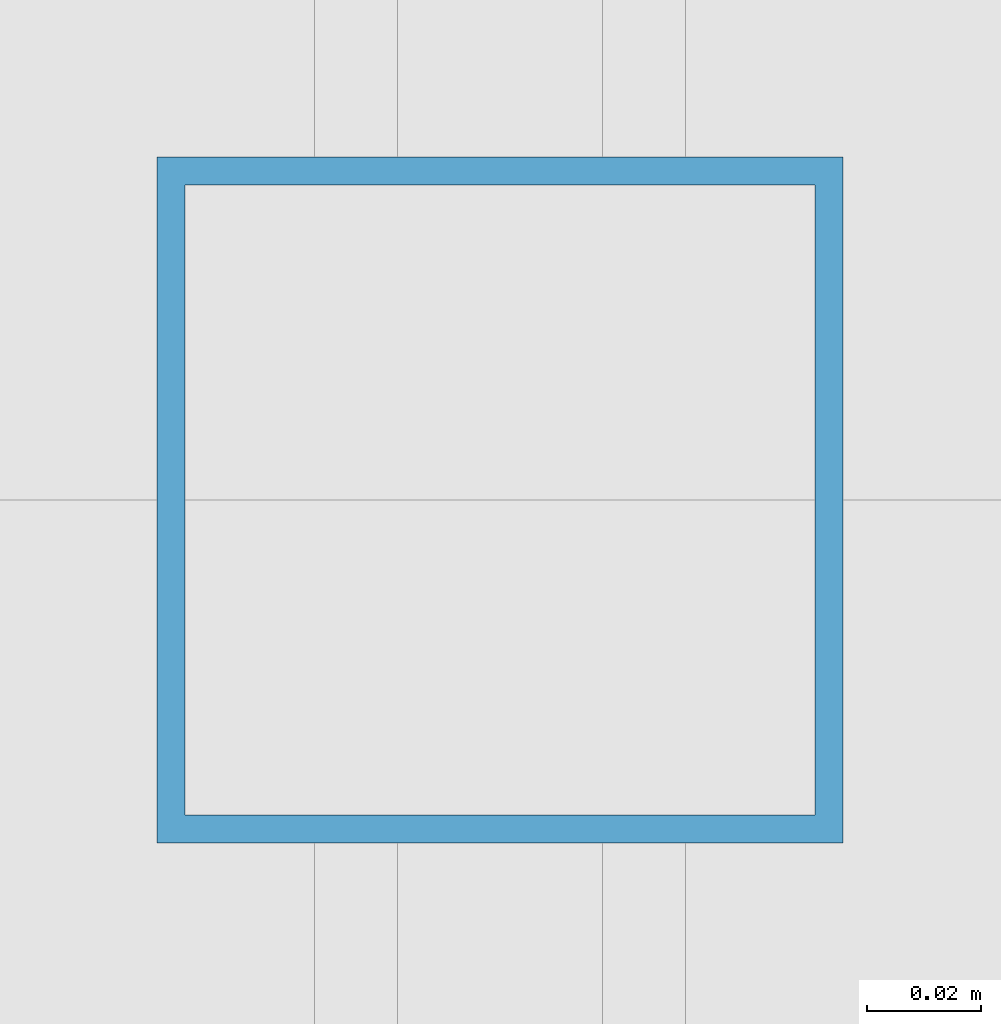
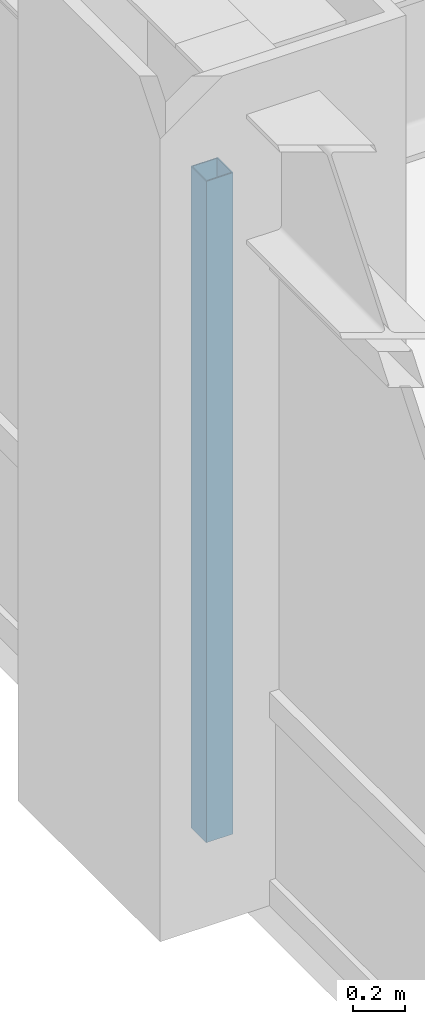
# One storey, part 7 of 35: 1 member, 1 element without a shape of its own.
"""IFC4 building model written with IfcOpenShell, lengths in metres."""

import ifcopenshell
import ifcopenshell.guid

model = None  # the IFC model being written
_history = None  # IfcOwnerHistory: only IFC2X3 demands one
_inside = {}  # id of a spatial element -> (the spatial element, [elements in it])
_under = {}  # id of a project, library or spatial element -> (it, [spatial elements below it])
_declared = {}  # id of a project -> (the project, [libraries it declares])
_typed = {}  # id of a type object -> (the type object, [elements of that type])
_made_of = {}  # id of a material, layer set ... -> (it, [elements and type objects made of it])


def new_model(schema):
    """Start an empty IFC model of exactly this schema.

    Asked for "IFC4X3", IfcOpenShell would pick the latest addendum, in which some entities
    have other attributes; the version numbers below select the first issue.
    IFC2X3 requires an IfcOwnerHistory on every rooted entity: one is made here for all.
    """
    global model, _history
    if schema == "IFC4X3":
        model = ifcopenshell.file(schema_version=(4, 3, 0, 0))
    else:
        model = ifcopenshell.file(schema=schema)
    _inside.clear()
    _under.clear()
    _declared.clear()
    _typed.clear()
    _made_of.clear()
    _history = None
    if model.schema == "IFC2X3":
        org = make("IfcOrganization", Name="unknown")
        user = make(
            "IfcPersonAndOrganization",
            ThePerson=make("IfcPerson", FamilyName="unknown"),
            TheOrganization=org,
        )
        app = make(
            "IfcApplication",
            ApplicationDeveloper=org,
            Version="unknown",
            ApplicationFullName="unknown",
            ApplicationIdentifier="unknown",
        )
        _history = make(
            "IfcOwnerHistory",
            OwningUser=user,
            OwningApplication=app,
            ChangeAction="ADDED",
            CreationDate=0,
        )
    return model


def make(cls, **values):
    """One entity of the class cls with the attributes given. An attribute that is None is left unset."""
    return model.create_entity(
        cls, **{name: value for name, value in values.items() if value is not None}
    )


def rooted(cls, **values):
    """An entity with a GlobalId (a new one), such as an element, a storey or a relation."""
    return make(cls, GlobalId=ifcopenshell.guid.new(), OwnerHistory=_history, **values)


def si_unit(unit_type, name, prefix=None):
    """IfcSIUnit, for example si_unit("LENGTHUNIT", "METRE", prefix="MILLI")."""
    return make("IfcSIUnit", UnitType=unit_type, Prefix=prefix, Name=name)


def assignment(units):
    """IfcUnitAssignment: the units of a project."""
    return None if units is None else make("IfcUnitAssignment", Units=units)


def point(xyz):
    """IfcCartesianPoint."""
    return None if xyz is None else make("IfcCartesianPoint", Coordinates=xyz)


def direction(xyz):
    """IfcDirection."""
    return None if xyz is None else make("IfcDirection", DirectionRatios=xyz)


def frame(location, z_axis=None, x_axis=None):
    """IfcAxis2Placement3D, a coordinate frame: its origin and axes. An axis left out is left unset."""
    return make(
        "IfcAxis2Placement3D",
        Location=point(location),
        Axis=direction(z_axis),
        RefDirection=direction(x_axis),
    )


def frame_2d(location, x_axis=None):
    """IfcAxis2Placement2D, a coordinate frame in the plane: its origin and x axis."""
    return make(
        "IfcAxis2Placement2D", Location=point(location), RefDirection=direction(x_axis)
    )


def origin():
    """The frame at (0, 0, 0) with its axes left unset."""
    return frame((0.0, 0.0, 0.0))


def origin_2d():
    """The frame at (0, 0) in the plane with its x axis left unset."""
    return frame_2d((0.0, 0.0))


def place(relative_to, where):
    """IfcLocalPlacement: puts the frame where relative to a parent placement (None: the world)."""
    return make(
        "IfcLocalPlacement", PlacementRelTo=relative_to, RelativePlacement=where
    )


def context(
    kind, dimensions, precision=None, world=None, true_north=None, identifier=None
):
    """IfcGeometricRepresentationContext, for example the 3D "Model" context."""
    return make(
        "IfcGeometricRepresentationContext",
        ContextIdentifier=identifier,
        ContextType=kind,
        CoordinateSpaceDimension=dimensions,
        Precision=precision,
        WorldCoordinateSystem=world,
        TrueNorth=true_north,
    )


def subcontext(parent, identifier, kind, view, scale=None):
    """IfcGeometricRepresentationSubContext, for example "Body" below "Model"."""
    return make(
        "IfcGeometricRepresentationSubContext",
        ContextIdentifier=identifier,
        ContextType=kind,
        ParentContext=parent,
        TargetScale=scale,
        TargetView=view,
    )


def project(units=None, contexts=None):
    """IfcProject with its units and contexts."""
    return rooted(
        "IfcProject",
        Name="project",
        RepresentationContexts=contexts,
        UnitsInContext=assignment(units),
    )


def spatial(cls, under=None, at=None, **own):
    """A site, building, storey or space (cls), placed at a placement, below another one or the project."""
    s = rooted(cls, ObjectPlacement=at, **own)
    if under is not None:
        _under.setdefault(under.id(), (under, []))[1].append(s)
    return s


def profile(cls, at=None, kind="AREA", **sizes):
    """A parametric profile (cls). Its sizes go by their IFC names, for example OverallWidth=200.0."""
    return make(cls, ProfileType=kind, Position=at, **sizes)


def hollow_rectangle(**sizes):
    """IfcRectangleHollowProfileDef."""
    return profile("IfcRectangleHollowProfileDef", **sizes)


def extrude(swept, where, along, depth):
    """IfcExtrudedAreaSolid: the profile swept, set in the frame where, extruded along a direction by depth."""
    return make(
        "IfcExtrudedAreaSolid",
        SweptArea=swept,
        Position=where,
        ExtrudedDirection=direction(along),
        Depth=depth,
    )


def shape(context_of_items, identifier, shape_type, items):
    """IfcShapeRepresentation: the items that make up one representation, for example the "Body"."""
    return make(
        "IfcShapeRepresentation",
        ContextOfItems=context_of_items,
        RepresentationIdentifier=identifier,
        RepresentationType=shape_type,
        Items=items,
    )


def source(mapping_origin, context_of_items, identifier, shape_type, items):
    """IfcRepresentationMap: a shape defined once, which mapped items show again and again."""
    return make(
        "IfcRepresentationMap",
        MappingOrigin=mapping_origin,
        MappedRepresentation=shape(context_of_items, identifier, shape_type, items),
    )


def transform(
    local_origin,
    x_axis=None,
    y_axis=None,
    z_axis=None,
    scale=None,
    scale2=None,
    scale3=None,
    uniform=True,
):
    """IfcCartesianTransformationOperator3D, or its non-uniform kind. x_axis, y_axis, z_axis: its Axis1, 2, 3."""
    if uniform:
        return make(
            "IfcCartesianTransformationOperator3D",
            Axis1=direction(x_axis),
            Axis2=direction(y_axis),
            LocalOrigin=point(local_origin),
            Scale=scale,
            Axis3=direction(z_axis),
        )
    return make(
        "IfcCartesianTransformationOperator3DnonUniform",
        Axis1=direction(x_axis),
        Axis2=direction(y_axis),
        LocalOrigin=point(local_origin),
        Scale=scale,
        Axis3=direction(z_axis),
        Scale2=scale2,
        Scale3=scale3,
    )


def mapped(mapping_source, mapping_target):
    """IfcMappedItem: shows the shape of a source again, moved by a transform."""
    return make(
        "IfcMappedItem", MappingSource=mapping_source, MappingTarget=mapping_target
    )


def material(Name=None, Category=None):
    """IfcMaterial."""
    return make("IfcMaterial", Name=Name, Category=Category)


def material_profile(
    of_material, cross_section, Name=None, Category=None, Priority=None
):
    """IfcMaterialProfile: a cross section and its material."""
    return make(
        "IfcMaterialProfile",
        Name=Name,
        Material=of_material,
        Profile=cross_section,
        Priority=Priority,
        Category=Category,
    )


def profile_set(profiles, Name=None, composite=None):
    """IfcMaterialProfileSet."""
    return make(
        "IfcMaterialProfileSet",
        Name=Name,
        MaterialProfiles=profiles,
        CompositeProfile=composite,
    )


def made_of(thing, what):
    """Note that an element or type object is made of a material, layer set ...; save() writes the relation."""
    if what is not None:
        _made_of.setdefault(what.id(), (what, []))[1].append(thing)
    return thing


def type_object(cls, material=None, **own):
    """A type object (cls), such as IfcWallType, which elements share."""
    return made_of(rooted(cls, **own), material)


def element(
    cls,
    number,
    at=None,
    inside=None,
    cuts=None,
    type_object=None,
    material=None,
    context=None,
    identifier="Body",
    shape_type=None,
    held_by="IfcProductDefinitionShape",
    body=None,
    shapes=None,
    **own,
):
    """One element of the class cls, such as IfcWall. Its Tag is "e" and its number.

    at: its placement. inside: the storey or other place that contains it. cuts: it is an
    opening in that element (IfcRelVoidsElement). A single representation is given by context,
    identifier, shape_type and body (its items); several are given by shapes. held_by: the class
    of the entity that holds the representations. save() writes the other relations.
    """
    e = rooted(cls, Tag="e%d" % number, ObjectPlacement=at, **own)
    if body is not None:
        shapes = [shape(context, identifier, shape_type, body)]
    if shapes is not None:
        e.Representation = make(held_by, Representations=shapes)
    if inside is not None:
        _inside.setdefault(inside.id(), (inside, []))[1].append(e)
    if cuts is not None:
        rooted(
            "IfcRelVoidsElement", RelatingBuildingElement=cuts, RelatedOpeningElement=e
        )
    if type_object is not None:
        _typed.setdefault(type_object.id(), (type_object, []))[1].append(e)
    return made_of(e, material)


def aggregate(whole, parts):
    """IfcRelAggregates: a whole, such as a stair, and the parts it consists of."""
    return rooted("IfcRelAggregates", RelatingObject=whole, RelatedObjects=parts)


def save(model, path):
    """Write the relations noted so far, then the file.

    IfcRelAggregates (storeys below a building ...), IfcRelContainedInSpatialStructure (elements
    in a storey), IfcRelDefinesByType, IfcRelAssociatesMaterial and IfcRelDeclares: one each for
    every whole, place, type object, material and project.
    """
    for whole, parts in _under.values():
        aggregate(whole, parts)
    for where, things in _inside.values():
        rooted(
            "IfcRelContainedInSpatialStructure",
            RelatedElements=things,
            RelatingStructure=where,
        )
    for kind, things in _typed.values():
        rooted("IfcRelDefinesByType", RelatedObjects=things, RelatingType=kind)
    for what, things in _made_of.values():
        rooted("IfcRelAssociatesMaterial", RelatedObjects=things, RelatingMaterial=what)
    for by, libraries in _declared.values():
        rooted("IfcRelDeclares", RelatingContext=by, RelatedDefinitions=libraries)
    model.write(path)


model = new_model("IFC4")

# Units and contexts
model_context = context("Model", 3, precision=1e-05, world=origin(), true_north=direction((0.0, 1.0)))
body_context = subcontext(model_context, "Body", "Model", "MODEL_VIEW")
ifc_project = project(units=[si_unit("LENGTHUNIT", "METRE"), si_unit("AREAUNIT", "SQUARE_METRE"), si_unit("VOLUMEUNIT", "CUBIC_METRE"), si_unit("PLANEANGLEUNIT", "RADIAN"), si_unit("MASSUNIT", "GRAM", prefix="KILO")], contexts=[model_context])

# Site, building, storey
site_placement = place(None, origin())
site = spatial("IfcSite", under=ifc_project, at=site_placement, CompositionType="ELEMENT")
building_placement = place(site_placement, origin())
building = spatial("IfcBuilding", under=site, at=building_placement, Name="Khorayat Bourse Tower", CompositionType="ELEMENT")
storey_placement = place(building_placement, frame((0.0, 0.0, 155.10009765625)))
storey = spatial("IfcBuildingStorey", under=building, at=storey_placement, Name="L35", CompositionType="ELEMENT", Elevation=155.10009765625)

# Curtain wall, member
ifc_material = material(Name="Aluminium EN AW-6063 T6", Category="aluminium")
curtain_wall_type = type_object("IfcCurtainWallType", Name="CW-SYS-03", PredefinedType="NOTDEFINED", material=ifc_material)
curtain_wall_placement = place(storey_placement, origin())
curtain_wall = element("IfcCurtainWall", 1, at=curtain_wall_placement, inside=storey, type_object=curtain_wall_type, Name="L35 Curtain Wall CW-L35-W1", PredefinedType="NOTDEFINED")
ifc_material_profile = material_profile(ifc_material, hollow_rectangle(XDim=0.1201171875, YDim=0.1201171875, WallThickness=0.0048828125, at=origin_2d()), Name="ALU 120x120x5")
ifc_profile_set = profile_set([ifc_material_profile], Name="Aluminium EN AW-6063 T6")
member_type = type_object("IfcMemberType", Name="CWM-VERT-120", PredefinedType="MULLION", material=ifc_profile_set)
shared_shape = source(origin(), body_context, "Body", "SweptSolid", [
    extrude(hollow_rectangle(XDim=0.1201171875, YDim=0.1201171875, WallThickness=0.0048828125, at=origin_2d()), origin(), (0.0, 0.0, 1.0), 3.1298828125),
])
member_placement = place(storey_placement, frame((-30.0, 0.0, 0.0), z_axis=(0.0, 0.0, 1.0), x_axis=(-1.0, 0.0, 0.0)))
member = element("IfcMember", 2, at=member_placement, type_object=member_type, Name="CW-L35-W1 Vertical Mullion 2", PredefinedType="MULLION", context=body_context, shape_type="MappedRepresentation", body=[
    mapped(shared_shape, transform((0.0, 0.0, 0.0), scale=1.0)),
])
aggregate(curtain_wall, [member])

save(model, "model.ifc")
